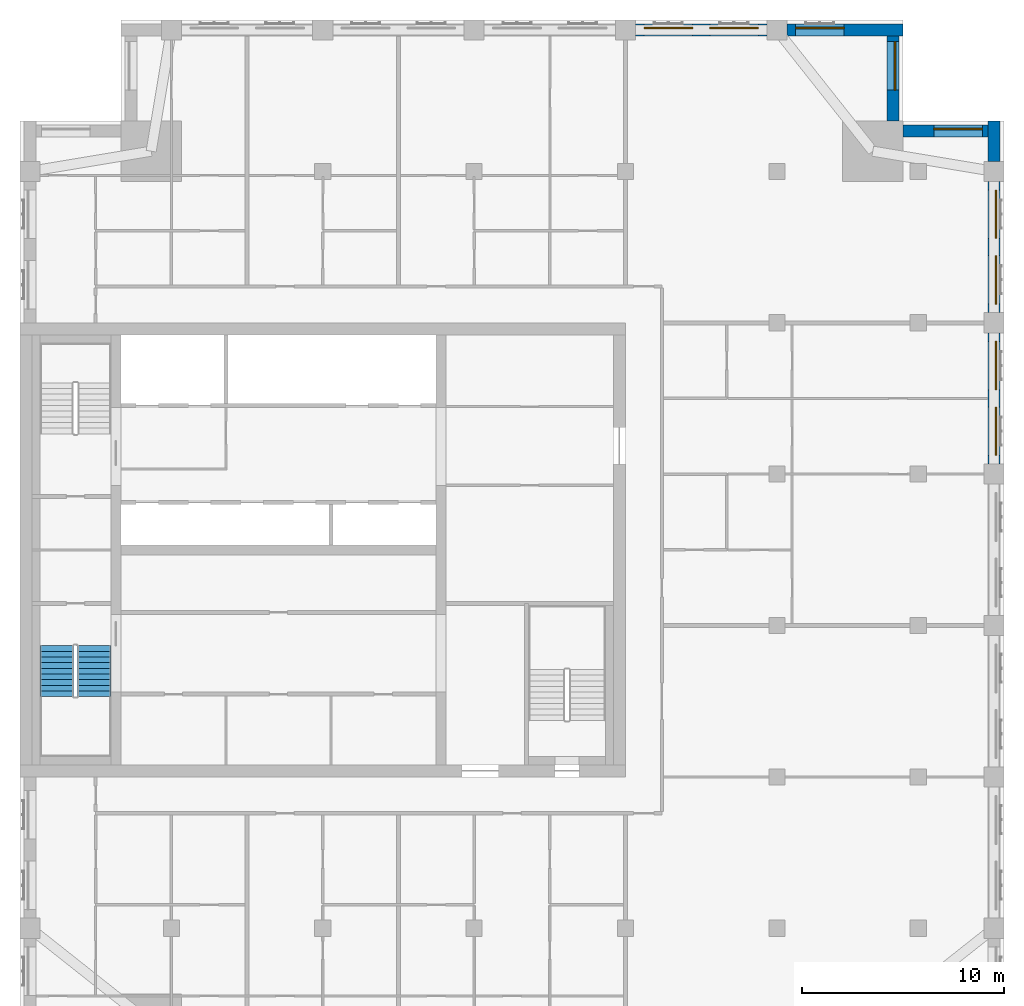
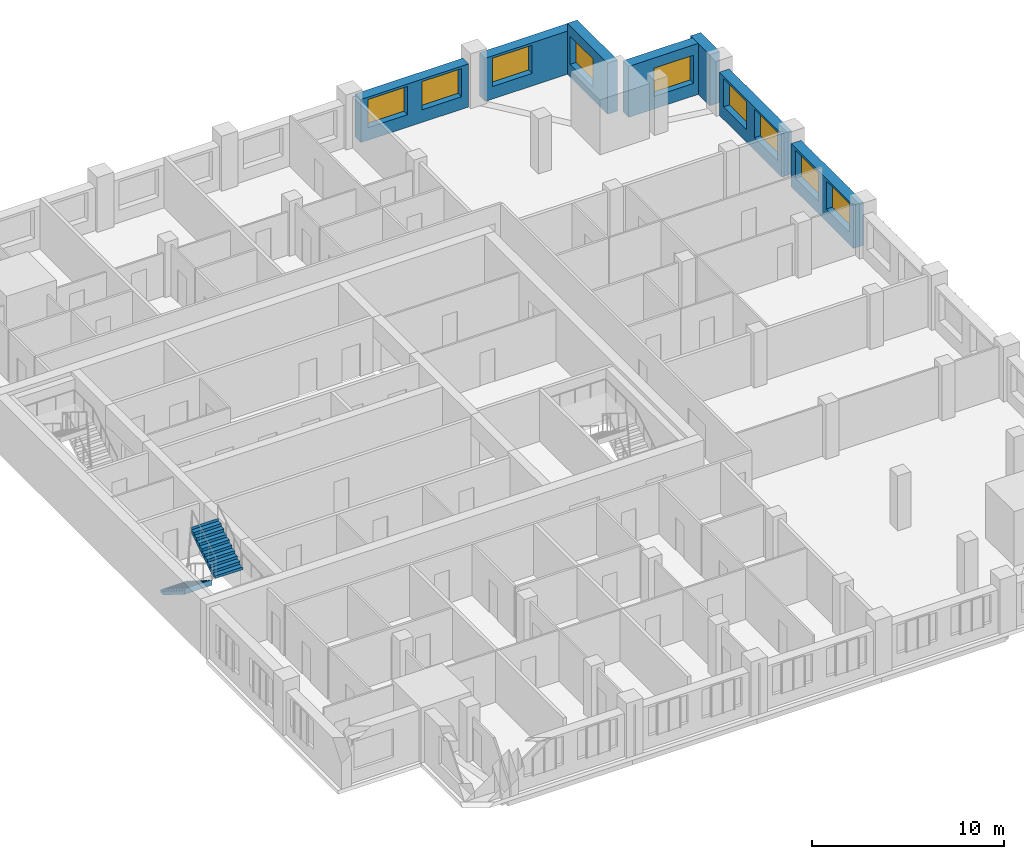
# One storey, part 8 of 10: 9 windows, 7 walls, 2 stair flights, 9 openings, 1 element without a shape of its own.
"""IFC4 building model written with IfcOpenShell, lengths in metres."""

from ifc_helpers import new_model, si_unit, direction, frame, frame_2d, origin, place, context, subcontext, project, spatial, polyline, rectangle, outline, extrude, material, layer, layer_set, type_object, element, fill, aggregate, save


model = new_model("IFC4")

# Units and contexts
model_context = context("Model", 3, precision=1e-05, world=origin(), true_north=direction((0.0, 1.0)))
body_context = subcontext(model_context, "Body", "Model", "MODEL_VIEW")
ifc_project = project(units=[si_unit("LENGTHUNIT", "METRE"), si_unit("AREAUNIT", "SQUARE_METRE"), si_unit("VOLUMEUNIT", "CUBIC_METRE"), si_unit("PLANEANGLEUNIT", "RADIAN"), si_unit("MASSUNIT", "GRAM", prefix="KILO")], contexts=[model_context])

# Site, building, storey
site_placement = place(None, origin())
site = spatial("IfcSite", under=ifc_project, at=site_placement, CompositionType="ELEMENT")
building_placement = place(site_placement, origin())
building = spatial("IfcBuilding", under=site, at=building_placement, Name="Tamorin Gate", CompositionType="ELEMENT")
storey_placement = place(building_placement, frame((0.0, 0.0, 237.199951171875)))
storey = spatial("IfcBuildingStorey", under=building, at=storey_placement, Name="L59", CompositionType="ELEMENT", Elevation=237.199951171875)

# Wall, openings, windows
ifc_material_1 = material(Name="Precast concrete C40/50", Category="concrete")
ifc_layer = layer(ifc_material_1, 0.60009765625)
ifc_layer_set = layer_set([ifc_layer], Name="Precast concrete C40/50")
wall_type = type_object("IfcWallType", Name="Board-marked concrete facade panel 600", PredefinedType="SOLIDWALL", material=ifc_layer_set)
wall_1_placement = place(storey_placement, frame((78.25, 75.5, 0.0), z_axis=(0.0, 0.0, 1.0), x_axis=(0.0, 1.0, 0.0)))
wall_1 = element("IfcWall", 1, at=wall_1_placement, inside=storey, type_object=wall_type, Name="Facade panel", PredefinedType="SOLIDWALL", context=body_context, shape_type="SweptSolid", body=[
    extrude(rectangle(XDim=6.5, YDim=0.60009765625, at=frame_2d((3.25, 0.0))), origin(), (0.0, 0.0, 1.0), 2.75),
])
opening_1_placement = place(wall_1_placement, frame((0.425048828125, 0.0, 0.800048828125)))
opening_1 = element("IfcOpeningElement", 2, at=opening_1_placement, cuts=wall_1, Name="Opening WN1", PredefinedType="OPENING", context=body_context, shape_type="SweptSolid", body=[
    extrude(rectangle(XDim=2.39990234375, YDim=1.800048828125, at=frame_2d((1.199951171875, 0.89990234375))), frame((0.0, 0.31005859375, 0.0), z_axis=(0.0, -1.0, 0.0), x_axis=(1.0, 0.0, 0.0)), (0.0, 0.0, 1.0), 0.6201171875),
])
opening_2_placement = place(wall_1_placement, frame((3.675048828125, 0.0, 0.800048828125)))
opening_2 = element("IfcOpeningElement", 3, at=opening_2_placement, cuts=wall_1, Name="Opening WN1", PredefinedType="OPENING", context=body_context, shape_type="SweptSolid", body=[
    extrude(rectangle(XDim=2.39990234375, YDim=1.800048828125, at=frame_2d((1.199951171875, 0.89990234375))), frame((0.0, 0.31005859375, 0.0), z_axis=(0.0, -1.0, 0.0), x_axis=(1.0, 0.0, 0.0)), (0.0, 0.0, 1.0), 0.6201171875),
])
ifc_material_2 = material(Name="Clear glass in aluminium frame", Category="aluminium")
window_type = type_object("IfcWindowType", Name="Deep-set window 2400x1800", PartitioningType="SINGLE_PANEL", PredefinedType="WINDOW", material=ifc_material_2)
window_1_placement = place(opening_1_placement, origin())
window_1 = element("IfcWindow", 4, at=window_1_placement, inside=storey, type_object=window_type, Name="Deep-set window", OverallHeight=1.800048828125, OverallWidth=2.39990234375, PartitioningType="SINGLE_PANEL", PredefinedType="WINDOW", context=body_context, shape_type="SweptSolid", body=[
    extrude(rectangle(XDim=2.39990234375, YDim=1.800048828125, at=frame_2d((1.199951171875, 0.89990234375))), frame((0.0, -0.070068359375, 0.0), z_axis=(0.0, -1.0, 0.0), x_axis=(1.0, 0.0, 0.0)), (0.0, 0.0, 1.0), 0.06005859375),
])
fill(opening_1, window_1)
window_2_placement = place(opening_2_placement, origin())
window_2 = element("IfcWindow", 5, at=window_2_placement, inside=storey, type_object=window_type, Name="Deep-set window", OverallHeight=1.800048828125, OverallWidth=2.39990234375, PartitioningType="SINGLE_PANEL", PredefinedType="WINDOW", context=body_context, shape_type="SweptSolid", body=[
    extrude(rectangle(XDim=2.39990234375, YDim=1.800048828125, at=frame_2d((1.199951171875, 0.89990234375))), frame((0.0, -0.070068359375, 0.0), z_axis=(0.0, -1.0, 0.0), x_axis=(1.0, 0.0, 0.0)), (0.0, 0.0, 1.0), 0.06005859375),
])
fill(opening_2, window_2)

wall_2_placement = place(storey_placement, frame((78.25, 83.0, 0.0), z_axis=(0.0, 0.0, 1.0), x_axis=(0.0, 1.0, 0.0)))
wall_2 = element("IfcWall", 6, at=wall_2_placement, inside=storey, type_object=wall_type, Name="Facade panel", PredefinedType="SOLIDWALL", context=body_context, shape_type="SweptSolid", body=[
    extrude(rectangle(XDim=6.5, YDim=0.60009765625, at=frame_2d((3.25, 0.0))), origin(), (0.0, 0.0, 1.0), 2.75),
])
opening_3_placement = place(wall_2_placement, frame((0.425048828125, 0.0, 0.800048828125)))
opening_3 = element("IfcOpeningElement", 7, at=opening_3_placement, cuts=wall_2, Name="Opening WN1", PredefinedType="OPENING", context=body_context, shape_type="SweptSolid", body=[
    extrude(rectangle(XDim=2.39990234375, YDim=1.800048828125, at=frame_2d((1.199951171875, 0.89990234375))), frame((0.0, 0.31005859375, 0.0), z_axis=(0.0, -1.0, 0.0), x_axis=(1.0, 0.0, 0.0)), (0.0, 0.0, 1.0), 0.6201171875),
])
opening_4_placement = place(wall_2_placement, frame((3.675048828125, 0.0, 0.800048828125)))
opening_4 = element("IfcOpeningElement", 8, at=opening_4_placement, cuts=wall_2, Name="Opening WN1", PredefinedType="OPENING", context=body_context, shape_type="SweptSolid", body=[
    extrude(rectangle(XDim=2.39990234375, YDim=1.800048828125, at=frame_2d((1.199951171875, 0.89990234375))), frame((0.0, 0.31005859375, 0.0), z_axis=(0.0, -1.0, 0.0), x_axis=(1.0, 0.0, 0.0)), (0.0, 0.0, 1.0), 0.6201171875),
])
window_3_placement = place(opening_3_placement, origin())
window_3 = element("IfcWindow", 9, at=window_3_placement, inside=storey, type_object=window_type, Name="Deep-set window", OverallHeight=1.800048828125, OverallWidth=2.39990234375, PartitioningType="SINGLE_PANEL", PredefinedType="WINDOW", context=body_context, shape_type="SweptSolid", body=[
    extrude(rectangle(XDim=2.39990234375, YDim=1.800048828125, at=frame_2d((1.199951171875, 0.89990234375))), frame((0.0, -0.070068359375, 0.0), z_axis=(0.0, -1.0, 0.0), x_axis=(1.0, 0.0, 0.0)), (0.0, 0.0, 1.0), 0.06005859375),
])
fill(opening_3, window_3)
window_4_placement = place(opening_4_placement, origin())
window_4 = element("IfcWindow", 10, at=window_4_placement, inside=storey, type_object=window_type, Name="Deep-set window", OverallHeight=1.800048828125, OverallWidth=2.39990234375, PartitioningType="SINGLE_PANEL", PredefinedType="WINDOW", context=body_context, shape_type="SweptSolid", body=[
    extrude(rectangle(XDim=2.39990234375, YDim=1.800048828125, at=frame_2d((1.199951171875, 0.89990234375))), frame((0.0, -0.070068359375, 0.0), z_axis=(0.0, -1.0, 0.0), x_axis=(1.0, 0.0, 0.0)), (0.0, 0.0, 1.0), 0.06005859375),
])
fill(opening_4, window_4)

# Wall
wall_3_placement = place(storey_placement, frame((78.25, 90.5, 0.0), z_axis=(0.0, 0.0, 1.0), x_axis=(0.0, 1.0, 0.0)))
element("IfcWall", 11, at=wall_3_placement, inside=storey, type_object=wall_type, Name="Facade panel", PredefinedType="SOLIDWALL", context=body_context, shape_type="SweptSolid", body=[
    extrude(rectangle(XDim=2.0, YDim=0.60009765625, at=frame_2d((1.0, 0.0))), origin(), (0.0, 0.0, 1.0), 3.25),
])

# Wall, opening, window
wall_4_placement = place(storey_placement, frame((77.949951171875, 92.0, 0.0), z_axis=(0.0, 0.0, 1.0), x_axis=(-1.0, 0.0, 0.0)))
wall_4 = element("IfcWall", 12, at=wall_4_placement, inside=storey, type_object=wall_type, Name="Facade panel", PredefinedType="SOLIDWALL", context=body_context, shape_type="SweptSolid", body=[
    extrude(rectangle(XDim=4.199951171875, YDim=0.60009765625, at=frame_2d((2.10009765625, 0.0))), origin(), (0.0, 0.0, 1.0), 3.25),
])
opening_5_placement = place(wall_4_placement, frame((0.27490234375, 0.0, 0.800048828125)))
opening_5 = element("IfcOpeningElement", 13, at=opening_5_placement, cuts=wall_4, Name="Opening WN1", PredefinedType="OPENING", context=body_context, shape_type="SweptSolid", body=[
    extrude(rectangle(XDim=2.39990234375, YDim=1.800048828125, at=frame_2d((1.199951171875, 0.89990234375))), frame((0.0, 0.31005859375, 0.0), z_axis=(0.0, -1.0, 0.0), x_axis=(1.0, 0.0, 0.0)), (0.0, 0.0, 1.0), 0.6201171875),
])
window_5_placement = place(opening_5_placement, origin())
window_5 = element("IfcWindow", 14, at=window_5_placement, inside=storey, type_object=window_type, Name="Deep-set window", OverallHeight=1.800048828125, OverallWidth=2.39990234375, PartitioningType="SINGLE_PANEL", PredefinedType="WINDOW", context=body_context, shape_type="SweptSolid", body=[
    extrude(rectangle(XDim=2.39990234375, YDim=1.800048828125, at=frame_2d((1.199951171875, 0.89990234375))), frame((0.0, -0.070068359375, 0.0), z_axis=(0.0, -1.0, 0.0), x_axis=(1.0, 0.0, 0.0)), (0.0, 0.0, 1.0), 0.06005859375),
])
fill(opening_5, window_5)

wall_5_placement = place(storey_placement, frame((73.25, 92.5, 0.0), z_axis=(0.0, 0.0, 1.0), x_axis=(0.0, 1.0, 0.0)))
wall_5 = element("IfcWall", 15, at=wall_5_placement, inside=storey, type_object=wall_type, Name="Facade panel", PredefinedType="SOLIDWALL", context=body_context, shape_type="SweptSolid", body=[
    extrude(rectangle(XDim=4.199951171875, YDim=0.60009765625, at=frame_2d((2.10009765625, 0.0))), origin(), (0.0, 0.0, 1.0), 3.25),
])
opening_6_placement = place(wall_5_placement, frame((1.52490234375, 0.0, 0.800048828125)))
opening_6 = element("IfcOpeningElement", 16, at=opening_6_placement, cuts=wall_5, Name="Opening WN1", PredefinedType="OPENING", context=body_context, shape_type="SweptSolid", body=[
    extrude(rectangle(XDim=2.39990234375, YDim=1.800048828125, at=frame_2d((1.199951171875, 0.89990234375))), frame((0.0, 0.31005859375, 0.0), z_axis=(0.0, -1.0, 0.0), x_axis=(1.0, 0.0, 0.0)), (0.0, 0.0, 1.0), 0.6201171875),
])
window_6_placement = place(opening_6_placement, origin())
window_6 = element("IfcWindow", 17, at=window_6_placement, inside=storey, type_object=window_type, Name="Deep-set window", OverallHeight=1.800048828125, OverallWidth=2.39990234375, PartitioningType="SINGLE_PANEL", PredefinedType="WINDOW", context=body_context, shape_type="SweptSolid", body=[
    extrude(rectangle(XDim=2.39990234375, YDim=1.800048828125, at=frame_2d((1.199951171875, 0.89990234375))), frame((0.0, -0.070068359375, 0.0), z_axis=(0.0, -1.0, 0.0), x_axis=(1.0, 0.0, 0.0)), (0.0, 0.0, 1.0), 0.06005859375),
])
fill(opening_6, window_6)

wall_6_placement = place(storey_placement, frame((73.75, 97.0, 0.0), z_axis=(0.0, 0.0, 1.0), x_axis=(-1.0, 0.0, 0.0)))
wall_6 = element("IfcWall", 18, at=wall_6_placement, inside=storey, type_object=wall_type, Name="Facade panel", PredefinedType="SOLIDWALL", context=body_context, shape_type="SweptSolid", body=[
    extrude(rectangle(XDim=5.75, YDim=0.60009765625, at=frame_2d((2.875, 0.0))), origin(), (0.0, 0.0, 1.0), 2.75),
])
opening_7_placement = place(wall_6_placement, frame((2.925048828125, 0.0, 0.800048828125)))
opening_7 = element("IfcOpeningElement", 19, at=opening_7_placement, cuts=wall_6, Name="Opening WN1", PredefinedType="OPENING", context=body_context, shape_type="SweptSolid", body=[
    extrude(rectangle(XDim=2.39990234375, YDim=1.800048828125, at=frame_2d((1.199951171875, 0.89990234375))), frame((0.0, 0.31005859375, 0.0), z_axis=(0.0, -1.0, 0.0), x_axis=(1.0, 0.0, 0.0)), (0.0, 0.0, 1.0), 0.6201171875),
])
window_7_placement = place(opening_7_placement, origin())
window_7 = element("IfcWindow", 20, at=window_7_placement, inside=storey, type_object=window_type, Name="Deep-set window", OverallHeight=1.800048828125, OverallWidth=2.39990234375, PartitioningType="SINGLE_PANEL", PredefinedType="WINDOW", context=body_context, shape_type="SweptSolid", body=[
    extrude(rectangle(XDim=2.39990234375, YDim=1.800048828125, at=frame_2d((1.199951171875, 0.89990234375))), frame((0.0, -0.070068359375, 0.0), z_axis=(0.0, -1.0, 0.0), x_axis=(1.0, 0.0, 0.0)), (0.0, 0.0, 1.0), 0.06005859375),
])
fill(opening_7, window_7)

# Wall, openings, windows
wall_7_placement = place(storey_placement, frame((67.0, 97.0, 0.0), z_axis=(0.0, 0.0, 1.0), x_axis=(-1.0, 0.0, 0.0)))
wall_7 = element("IfcWall", 21, at=wall_7_placement, inside=storey, type_object=wall_type, Name="Facade panel", PredefinedType="SOLIDWALL", context=body_context, shape_type="SweptSolid", body=[
    extrude(rectangle(XDim=6.5, YDim=0.60009765625, at=frame_2d((3.25, 0.0))), origin(), (0.0, 0.0, 1.0), 2.75),
])
opening_8_placement = place(wall_7_placement, frame((3.675048828125, 0.0, 0.800048828125)))
opening_8 = element("IfcOpeningElement", 22, at=opening_8_placement, cuts=wall_7, Name="Opening WN1", PredefinedType="OPENING", context=body_context, shape_type="SweptSolid", body=[
    extrude(rectangle(XDim=2.39990234375, YDim=1.800048828125, at=frame_2d((1.199951171875, 0.89990234375))), frame((0.0, 0.31005859375, 0.0), z_axis=(0.0, -1.0, 0.0), x_axis=(1.0, 0.0, 0.0)), (0.0, 0.0, 1.0), 0.6201171875),
])
opening_9_placement = place(wall_7_placement, frame((0.425048828125, 0.0, 0.800048828125)))
opening_9 = element("IfcOpeningElement", 23, at=opening_9_placement, cuts=wall_7, Name="Opening WN1", PredefinedType="OPENING", context=body_context, shape_type="SweptSolid", body=[
    extrude(rectangle(XDim=2.39990234375, YDim=1.800048828125, at=frame_2d((1.199951171875, 0.89990234375))), frame((0.0, 0.31005859375, 0.0), z_axis=(0.0, -1.0, 0.0), x_axis=(1.0, 0.0, 0.0)), (0.0, 0.0, 1.0), 0.6201171875),
])
window_8_placement = place(opening_8_placement, origin())
window_8 = element("IfcWindow", 24, at=window_8_placement, inside=storey, type_object=window_type, Name="Deep-set window", OverallHeight=1.800048828125, OverallWidth=2.39990234375, PartitioningType="SINGLE_PANEL", PredefinedType="WINDOW", context=body_context, shape_type="SweptSolid", body=[
    extrude(rectangle(XDim=2.39990234375, YDim=1.800048828125, at=frame_2d((1.199951171875, 0.89990234375))), frame((0.0, -0.070068359375, 0.0), z_axis=(0.0, -1.0, 0.0), x_axis=(1.0, 0.0, 0.0)), (0.0, 0.0, 1.0), 0.06005859375),
])
fill(opening_8, window_8)
window_9_placement = place(opening_9_placement, origin())
window_9 = element("IfcWindow", 25, at=window_9_placement, inside=storey, type_object=window_type, Name="Deep-set window", OverallHeight=1.800048828125, OverallWidth=2.39990234375, PartitioningType="SINGLE_PANEL", PredefinedType="WINDOW", context=body_context, shape_type="SweptSolid", body=[
    extrude(rectangle(XDim=2.39990234375, YDim=1.800048828125, at=frame_2d((1.199951171875, 0.89990234375))), frame((0.0, -0.070068359375, 0.0), z_axis=(0.0, -1.0, 0.0), x_axis=(1.0, 0.0, 0.0)), (0.0, 0.0, 1.0), 0.06005859375),
])
fill(opening_9, window_9)

# Stair, stair flights
ifc_material_3 = material(Name="Concrete C40/50", Category="concrete")
stair_type = type_object("IfcStairType", Name="Exit stair", PredefinedType="HALF_TURN_STAIR", material=ifc_material_3)
stair_placement = place(storey_placement, origin())
stair = element("IfcStair", 26, at=stair_placement, inside=storey, type_object=stair_type, Name="L59 stair ST1", PredefinedType="HALF_TURN_STAIR")
stair_flight_type = type_object("IfcStairFlightType", Name="Exit stair flight", PredefinedType="STRAIGHT", material=ifc_material_3)
stair_flight_1_placement = place(storey_placement, frame((31.824951171875, 66.5, 0.0), z_axis=(0.0, 0.0, 1.0), x_axis=(0.0, -1.0, 0.0)))
stair_flight_1 = element("IfcStairFlight", 27, at=stair_flight_1_placement, type_object=stair_flight_type, Name="ST1 flight 1", NumberOfRisers=10, NumberOfTreads=9, PredefinedType="STRAIGHT", RiserHeight=0.175, TreadLength=0.28, context=body_context, shape_type="SweptSolid", body=[
    extrude(outline(polyline([(-0.00048828125, 0.0), (-0.00048828125, 0.001708984375), (-0.00048828125, 0.00341796875), (-0.00048828125, 0.005126953125), (-0.00048828125, 0.0068359375), (-0.00048828125, 0.008544921875), (-0.00048828125, 0.010498046875), (-0.00048828125, 0.01220703125), (-0.00048828125, 0.013916015625), (-0.00048828125, 0.015625), (-0.00048828125, 0.017333984375), (-0.00048828125, 0.01904296875), (-0.00048828125, 0.020751953125), (-0.00048828125, 0.0224609375), (-0.00048828125, 0.024169921875), (-0.00048828125, 0.02587890625), (-0.00048828125, 0.02783203125), (-0.00048828125, 0.029541015625), (-0.00048828125, 0.03125), (-0.00048828125, 0.032958984375), (-0.00048828125, 0.03466796875), (-0.00048828125, 0.036376953125), (-0.00048828125, 0.0380859375), (-0.00048828125, 0.039794921875), (-0.00048828125, 0.04150390625), (-0.00048828125, 0.043212890625), (-0.00048828125, 0.045166015625), (-0.00048828125, 0.046875), (-0.00048828125, 0.048583984375), (-0.00048828125, 0.05029296875), (-0.00048828125, 0.052001953125), (-0.00048828125, 0.0537109375), (-0.00048828125, 0.055419921875), (-0.00048828125, 0.05712890625), (-0.00048828125, 0.058837890625), (-0.00048828125, 0.060546875), (-0.00048828125, 0.062255859375), (-0.00048828125, 0.064208984375), (-0.00048828125, 0.06591796875), (-0.00048828125, 0.067626953125), (-0.00048828125, 0.0693359375), (-0.00048828125, 0.071044921875), (-0.00048828125, 0.07275390625), (-0.00048828125, 0.074462890625), (-0.00048828125, 0.076171875), (-0.00048828125, 0.077880859375), (-0.00048828125, 0.07958984375), (-0.00048828125, 0.08154296875), (-0.00048828125, 0.083251953125), (-0.00048828125, 0.0849609375), (-0.00048828125, 0.086669921875), (-0.00048828125, 0.08837890625), (-0.00048828125, 0.090087890625), (-0.00048828125, 0.091796875), (-0.00048828125, 0.093505859375), (-0.00048828125, 0.09521484375), (-0.00048828125, 0.096923828125), (-0.00048828125, 0.098876953125), (-0.00048828125, 0.1005859375), (-0.00048828125, 0.102294921875), (-0.00048828125, 0.10400390625), (-0.00048828125, 0.105712890625), (-0.00048828125, 0.107421875), (-0.00048828125, 0.109130859375), (-0.00048828125, 0.11083984375), (-0.00048828125, 0.112548828125), (-0.00048828125, 0.1142578125), (-0.00048828125, 0.1162109375), (-0.00048828125, 0.117919921875), (-0.00048828125, 0.11962890625), (-0.00048828125, 0.121337890625), (-0.00048828125, 0.123046875), (-0.00048828125, 0.124755859375), (-0.00048828125, 0.12646484375), (-0.00048828125, 0.128173828125), (-0.00048828125, 0.1298828125), (-0.00048828125, 0.131591796875), (-0.00048828125, 0.13330078125), (-0.00048828125, 0.13525390625), (-0.00048828125, 0.136962890625), (-0.00048828125, 0.138671875), (-0.00048828125, 0.140380859375), (-0.00048828125, 0.14208984375), (-0.00048828125, 0.143798828125), (-0.00048828125, 0.1455078125), (-0.00048828125, 0.147216796875), (-0.00048828125, 0.14892578125), (-0.00048828125, 0.150634765625), (-0.00048828125, 0.152587890625), (-0.00048828125, 0.154296875), (-0.00048828125, 0.156005859375), (-0.00048828125, 0.15771484375), (-0.00048828125, 0.159423828125), (-0.00048828125, 0.1611328125), (-0.00048828125, 0.162841796875), (-0.00048828125, 0.16455078125), (-0.00048828125, 0.166259765625), (-0.00048828125, 0.16796875), (-0.00048828125, 0.169921875), (-0.00048828125, 0.171630859375), (-0.00048828125, 0.17333984375), (-0.00048828125, 0.175048828125), (0.280029296875, 0.175048828125), (0.280029296875, 0.35009765625), (0.56005859375, 0.35009765625), (0.56005859375, 0.52490234375), (0.840087890625, 0.52490234375), (0.840087890625, 0.699951171875), (1.1201171875, 0.699951171875), (1.1201171875, 0.875), (1.39990234375, 0.875), (1.39990234375, 1.050048828125), (1.679931640625, 1.050048828125), (1.679931640625, 1.22509765625), (1.9599609375, 1.22509765625), (1.9599609375, 1.39990234375), (2.239990234375, 1.39990234375), (2.239990234375, 1.574951171875), (2.52001953125, 1.574951171875), (2.52001953125, 1.75), (2.5205078125, 1.75), (2.5205078125, 1.74658203125), (2.5205078125, 1.742919921875), (2.5205078125, 1.739501953125), (2.5205078125, 1.736083984375), (2.5205078125, 1.732666015625), (2.5205078125, 1.72900390625), (2.5205078125, 1.7255859375), (2.5205078125, 1.72216796875), (2.5205078125, 1.71875), (2.5205078125, 1.715087890625), (2.5205078125, 1.711669921875), (2.5205078125, 1.708251953125), (2.5205078125, 1.704833984375), (2.5205078125, 1.701171875), (2.5205078125, 1.69775390625), (2.5205078125, 1.6943359375), (2.5205078125, 1.690673828125), (2.5205078125, 1.687255859375), (2.5205078125, 1.683837890625), (2.5205078125, 1.680419921875), (2.5205078125, 1.6767578125), (2.5205078125, 1.67333984375), (2.5205078125, 1.669921875), (2.5205078125, 1.66650390625), (2.5205078125, 1.662841796875), (2.5205078125, 1.659423828125), (2.5205078125, 1.656005859375), (2.5205078125, 1.652587890625), (2.5205078125, 1.64892578125), (2.5205078125, 1.6455078125), (2.5205078125, 1.64208984375), (2.5205078125, 1.638427734375), (2.5205078125, 1.635009765625), (2.5205078125, 1.631591796875), (2.5205078125, 1.628173828125), (2.5205078125, 1.62451171875), (2.5205078125, 1.62109375), (2.5205078125, 1.61767578125), (2.5205078125, 1.6142578125), (2.5205078125, 1.610595703125), (2.5205078125, 1.607177734375), (2.5205078125, 1.603759765625), (2.5205078125, 1.600341796875), (2.5205078125, 1.5966796875), (2.5205078125, 1.59326171875), (2.5205078125, 1.58984375), (2.5205078125, 1.58642578125), (2.5205078125, 1.582763671875), (2.5205078125, 1.579345703125), (2.5205078125, 1.575927734375), (2.5205078125, 1.572265625), (2.5205078125, 1.56884765625), (2.5205078125, 1.5654296875), (2.5205078125, 1.56201171875), (2.5205078125, 1.558349609375), (2.5205078125, 1.554931640625), (2.5205078125, 1.551513671875), (2.5205078125, 1.548095703125), (2.5205078125, 1.54443359375), (2.5205078125, 1.541015625), (2.5205078125, 1.53759765625), (2.5205078125, 1.5341796875), (2.5205078125, 1.530517578125), (2.5205078125, 1.527099609375), (2.5205078125, 1.523681640625), (2.5205078125, 1.52001953125), (2.5205078125, 1.5166015625), (2.5205078125, 1.51318359375), (2.5205078125, 1.509765625), (2.5205078125, 1.506103515625), (2.5205078125, 1.502685546875), (2.5205078125, 1.499267578125), (2.5205078125, 1.495849609375), (2.5205078125, 1.4921875), (2.5205078125, 1.48876953125), (2.5205078125, 1.4853515625), (2.5205078125, 1.48193359375), (2.5205078125, 1.478271484375), (2.5205078125, 1.474853515625), (2.5205078125, 1.471435546875), (2.5205078125, 1.4677734375), (2.5205078125, 1.46435546875), (2.5205078125, 1.4609375), (2.5205078125, 1.45751953125), (2.5205078125, 1.453857421875), (2.5205078125, 1.450439453125), (2.5205078125, 1.447021484375), (2.5205078125, 1.443603515625), (2.5205078125, 1.43994140625), (2.5205078125, 1.4365234375), (2.5205078125, 1.43310546875), (2.5205078125, 1.4296875), (2.5205078125, 1.426025390625), (2.5205078125, 1.422607421875), (2.5205078125, 1.419189453125), (2.5205078125, 1.41552734375), (2.5205078125, 1.412109375), (2.5205078125, 1.40869140625), (2.5205078125, 1.4052734375), (2.5205078125, 1.401611328125), (2.5205078125, 1.398193359375), (2.52001953125, 1.398193359375), (0.28271484375, 0.0), (-0.00048828125, 0.0)])), frame((0.0, 0.824951171875, 0.0), z_axis=(0.0, -1.0, 0.0), x_axis=(1.0, 0.0, 0.0)), (0.0, 0.0, 1.0), 1.64990234375),
])
stair_flight_2_placement = place(storey_placement, frame((33.675048828125, 63.97998046875, 1.75), z_axis=(0.0, 0.0, 1.0), x_axis=(0.0, 1.0, 0.0)))
stair_flight_2 = element("IfcStairFlight", 28, at=stair_flight_2_placement, type_object=stair_flight_type, Name="ST1 flight 2", NumberOfRisers=10, NumberOfTreads=9, PredefinedType="STRAIGHT", RiserHeight=0.175, TreadLength=0.28, context=body_context, shape_type="SweptSolid", body=[
    extrude(outline(polyline([(-0.00048828125, 0.0), (-0.00048828125, 0.001708984375), (-0.00048828125, 0.00341796875), (-0.00048828125, 0.005126953125), (-0.00048828125, 0.0068359375), (-0.00048828125, 0.008544921875), (-0.00048828125, 0.010498046875), (-0.00048828125, 0.01220703125), (-0.00048828125, 0.013916015625), (-0.00048828125, 0.015625), (-0.00048828125, 0.017333984375), (-0.00048828125, 0.01904296875), (-0.00048828125, 0.020751953125), (-0.00048828125, 0.0224609375), (-0.00048828125, 0.024169921875), (-0.00048828125, 0.02587890625), (-0.00048828125, 0.02783203125), (-0.00048828125, 0.029541015625), (-0.00048828125, 0.03125), (-0.00048828125, 0.032958984375), (-0.00048828125, 0.03466796875), (-0.00048828125, 0.036376953125), (-0.00048828125, 0.0380859375), (-0.00048828125, 0.039794921875), (-0.00048828125, 0.04150390625), (-0.00048828125, 0.043212890625), (-0.00048828125, 0.045166015625), (-0.00048828125, 0.046875), (-0.00048828125, 0.048583984375), (-0.00048828125, 0.05029296875), (-0.00048828125, 0.052001953125), (-0.00048828125, 0.0537109375), (-0.00048828125, 0.055419921875), (-0.00048828125, 0.05712890625), (-0.00048828125, 0.058837890625), (-0.00048828125, 0.060546875), (-0.00048828125, 0.062255859375), (-0.00048828125, 0.064208984375), (-0.00048828125, 0.06591796875), (-0.00048828125, 0.067626953125), (-0.00048828125, 0.0693359375), (-0.00048828125, 0.071044921875), (-0.00048828125, 0.07275390625), (-0.00048828125, 0.074462890625), (-0.00048828125, 0.076171875), (-0.00048828125, 0.077880859375), (-0.00048828125, 0.07958984375), (-0.00048828125, 0.08154296875), (-0.00048828125, 0.083251953125), (-0.00048828125, 0.0849609375), (-0.00048828125, 0.086669921875), (-0.00048828125, 0.08837890625), (-0.00048828125, 0.090087890625), (-0.00048828125, 0.091796875), (-0.00048828125, 0.093505859375), (-0.00048828125, 0.09521484375), (-0.00048828125, 0.096923828125), (-0.00048828125, 0.098876953125), (-0.00048828125, 0.1005859375), (-0.00048828125, 0.102294921875), (-0.00048828125, 0.10400390625), (-0.00048828125, 0.105712890625), (-0.00048828125, 0.107421875), (-0.00048828125, 0.109130859375), (-0.00048828125, 0.11083984375), (-0.00048828125, 0.112548828125), (-0.00048828125, 0.1142578125), (-0.00048828125, 0.1162109375), (-0.00048828125, 0.117919921875), (-0.00048828125, 0.11962890625), (-0.00048828125, 0.121337890625), (-0.00048828125, 0.123046875), (-0.00048828125, 0.124755859375), (-0.00048828125, 0.12646484375), (-0.00048828125, 0.128173828125), (-0.00048828125, 0.1298828125), (-0.00048828125, 0.131591796875), (-0.00048828125, 0.13330078125), (-0.00048828125, 0.13525390625), (-0.00048828125, 0.136962890625), (-0.00048828125, 0.138671875), (-0.00048828125, 0.140380859375), (-0.00048828125, 0.14208984375), (-0.00048828125, 0.143798828125), (-0.00048828125, 0.1455078125), (-0.00048828125, 0.147216796875), (-0.00048828125, 0.14892578125), (-0.00048828125, 0.150634765625), (-0.00048828125, 0.152587890625), (-0.00048828125, 0.154296875), (-0.00048828125, 0.156005859375), (-0.00048828125, 0.15771484375), (-0.00048828125, 0.159423828125), (-0.00048828125, 0.1611328125), (-0.00048828125, 0.162841796875), (-0.00048828125, 0.16455078125), (-0.00048828125, 0.166259765625), (-0.00048828125, 0.16796875), (-0.00048828125, 0.169921875), (-0.00048828125, 0.171630859375), (-0.00048828125, 0.17333984375), (-0.00048828125, 0.175048828125), (0.280029296875, 0.175048828125), (0.280029296875, 0.35009765625), (0.56005859375, 0.35009765625), (0.56005859375, 0.52490234375), (0.840087890625, 0.52490234375), (0.840087890625, 0.699951171875), (1.1201171875, 0.699951171875), (1.1201171875, 0.875), (1.39990234375, 0.875), (1.39990234375, 1.050048828125), (1.679931640625, 1.050048828125), (1.679931640625, 1.22509765625), (1.9599609375, 1.22509765625), (1.9599609375, 1.39990234375), (2.239990234375, 1.39990234375), (2.239990234375, 1.574951171875), (2.52001953125, 1.574951171875), (2.52001953125, 1.75), (2.5205078125, 1.75), (2.5205078125, 1.74658203125), (2.5205078125, 1.742919921875), (2.5205078125, 1.739501953125), (2.5205078125, 1.736083984375), (2.5205078125, 1.732666015625), (2.5205078125, 1.72900390625), (2.5205078125, 1.7255859375), (2.5205078125, 1.72216796875), (2.5205078125, 1.71875), (2.5205078125, 1.715087890625), (2.5205078125, 1.711669921875), (2.5205078125, 1.708251953125), (2.5205078125, 1.704833984375), (2.5205078125, 1.701171875), (2.5205078125, 1.69775390625), (2.5205078125, 1.6943359375), (2.5205078125, 1.690673828125), (2.5205078125, 1.687255859375), (2.5205078125, 1.683837890625), (2.5205078125, 1.680419921875), (2.5205078125, 1.6767578125), (2.5205078125, 1.67333984375), (2.5205078125, 1.669921875), (2.5205078125, 1.66650390625), (2.5205078125, 1.662841796875), (2.5205078125, 1.659423828125), (2.5205078125, 1.656005859375), (2.5205078125, 1.652587890625), (2.5205078125, 1.64892578125), (2.5205078125, 1.6455078125), (2.5205078125, 1.64208984375), (2.5205078125, 1.638427734375), (2.5205078125, 1.635009765625), (2.5205078125, 1.631591796875), (2.5205078125, 1.628173828125), (2.5205078125, 1.62451171875), (2.5205078125, 1.62109375), (2.5205078125, 1.61767578125), (2.5205078125, 1.6142578125), (2.5205078125, 1.610595703125), (2.5205078125, 1.607177734375), (2.5205078125, 1.603759765625), (2.5205078125, 1.600341796875), (2.5205078125, 1.5966796875), (2.5205078125, 1.59326171875), (2.5205078125, 1.58984375), (2.5205078125, 1.58642578125), (2.5205078125, 1.582763671875), (2.5205078125, 1.579345703125), (2.5205078125, 1.575927734375), (2.5205078125, 1.572265625), (2.5205078125, 1.56884765625), (2.5205078125, 1.5654296875), (2.5205078125, 1.56201171875), (2.5205078125, 1.558349609375), (2.5205078125, 1.554931640625), (2.5205078125, 1.551513671875), (2.5205078125, 1.548095703125), (2.5205078125, 1.54443359375), (2.5205078125, 1.541015625), (2.5205078125, 1.53759765625), (2.5205078125, 1.5341796875), (2.5205078125, 1.530517578125), (2.5205078125, 1.527099609375), (2.5205078125, 1.523681640625), (2.5205078125, 1.52001953125), (2.5205078125, 1.5166015625), (2.5205078125, 1.51318359375), (2.5205078125, 1.509765625), (2.5205078125, 1.506103515625), (2.5205078125, 1.502685546875), (2.5205078125, 1.499267578125), (2.5205078125, 1.495849609375), (2.5205078125, 1.4921875), (2.5205078125, 1.48876953125), (2.5205078125, 1.4853515625), (2.5205078125, 1.48193359375), (2.5205078125, 1.478271484375), (2.5205078125, 1.474853515625), (2.5205078125, 1.471435546875), (2.5205078125, 1.4677734375), (2.5205078125, 1.46435546875), (2.5205078125, 1.4609375), (2.5205078125, 1.45751953125), (2.5205078125, 1.453857421875), (2.5205078125, 1.450439453125), (2.5205078125, 1.447021484375), (2.5205078125, 1.443603515625), (2.5205078125, 1.43994140625), (2.5205078125, 1.4365234375), (2.5205078125, 1.43310546875), (2.5205078125, 1.4296875), (2.5205078125, 1.426025390625), (2.5205078125, 1.422607421875), (2.5205078125, 1.419189453125), (2.5205078125, 1.41552734375), (2.5205078125, 1.412109375), (2.5205078125, 1.40869140625), (2.5205078125, 1.4052734375), (2.5205078125, 1.401611328125), (2.5205078125, 1.398193359375), (2.52001953125, 1.398193359375), (0.28271484375, 0.0), (-0.00048828125, 0.0)])), frame((0.0, 0.824951171875, 0.0), z_axis=(0.0, -1.0, 0.0), x_axis=(1.0, 0.0, 0.0)), (0.0, 0.0, 1.0), 1.64990234375),
])
aggregate(stair, [stair_flight_1, stair_flight_2])

save(model, "model.ifc")
